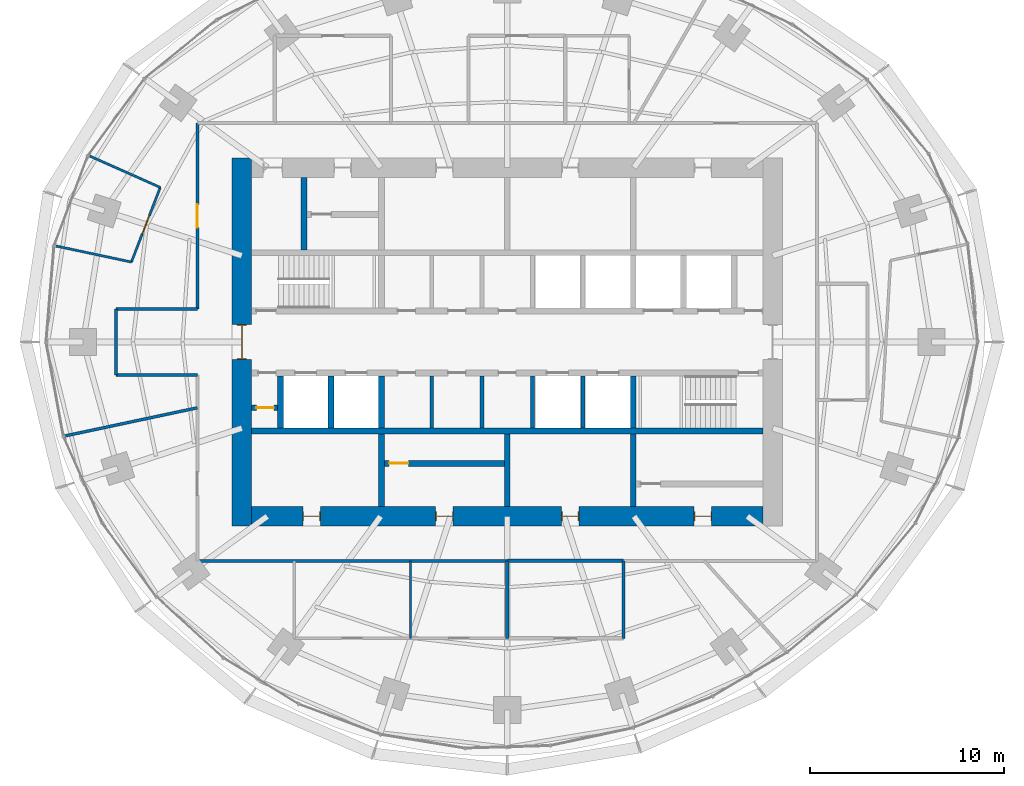
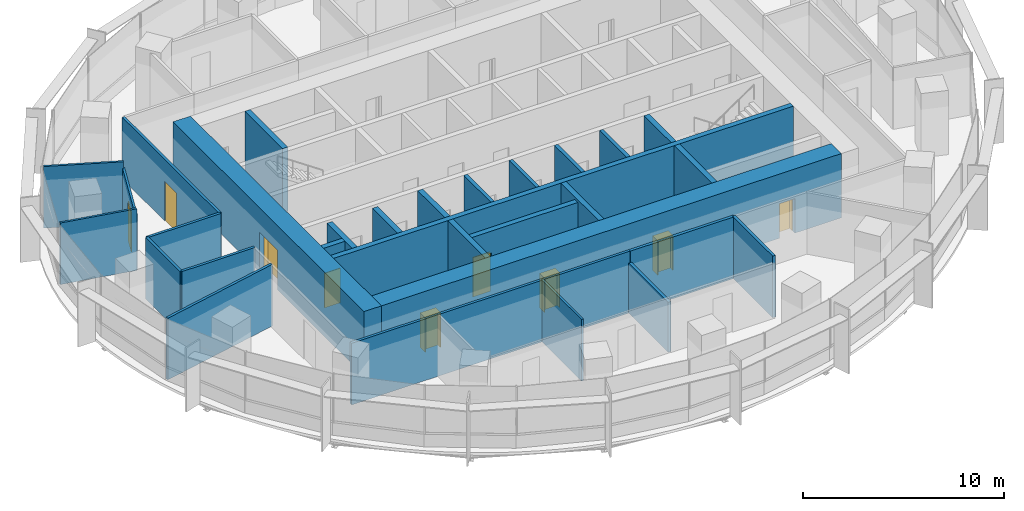
# One storey, part 10 of 14: 30 walls, 9 doors, 9 openings.
"""IFC4 building model written with IfcOpenShell, lengths in metres."""

import ifcopenshell
import ifcopenshell.guid

model = None  # the IFC model being written
_history = None  # IfcOwnerHistory: only IFC2X3 demands one
_inside = {}  # id of a spatial element -> (the spatial element, [elements in it])
_under = {}  # id of a project, library or spatial element -> (it, [spatial elements below it])
_declared = {}  # id of a project -> (the project, [libraries it declares])
_typed = {}  # id of a type object -> (the type object, [elements of that type])
_made_of = {}  # id of a material, layer set ... -> (it, [elements and type objects made of it])


def new_model(schema):
    """Start an empty IFC model of exactly this schema.

    Asked for "IFC4X3", IfcOpenShell would pick the latest addendum, in which some entities
    have other attributes; the version numbers below select the first issue.
    IFC2X3 requires an IfcOwnerHistory on every rooted entity: one is made here for all.
    """
    global model, _history
    if schema == "IFC4X3":
        model = ifcopenshell.file(schema_version=(4, 3, 0, 0))
    else:
        model = ifcopenshell.file(schema=schema)
    _inside.clear()
    _under.clear()
    _declared.clear()
    _typed.clear()
    _made_of.clear()
    _history = None
    if model.schema == "IFC2X3":
        org = make("IfcOrganization", Name="unknown")
        user = make(
            "IfcPersonAndOrganization",
            ThePerson=make("IfcPerson", FamilyName="unknown"),
            TheOrganization=org,
        )
        app = make(
            "IfcApplication",
            ApplicationDeveloper=org,
            Version="unknown",
            ApplicationFullName="unknown",
            ApplicationIdentifier="unknown",
        )
        _history = make(
            "IfcOwnerHistory",
            OwningUser=user,
            OwningApplication=app,
            ChangeAction="ADDED",
            CreationDate=0,
        )
    return model


def make(cls, **values):
    """One entity of the class cls with the attributes given. An attribute that is None is left unset."""
    return model.create_entity(
        cls, **{name: value for name, value in values.items() if value is not None}
    )


def rooted(cls, **values):
    """An entity with a GlobalId (a new one), such as an element, a storey or a relation."""
    return make(cls, GlobalId=ifcopenshell.guid.new(), OwnerHistory=_history, **values)


def si_unit(unit_type, name, prefix=None):
    """IfcSIUnit, for example si_unit("LENGTHUNIT", "METRE", prefix="MILLI")."""
    return make("IfcSIUnit", UnitType=unit_type, Prefix=prefix, Name=name)


def assignment(units):
    """IfcUnitAssignment: the units of a project."""
    return None if units is None else make("IfcUnitAssignment", Units=units)


def point(xyz):
    """IfcCartesianPoint."""
    return None if xyz is None else make("IfcCartesianPoint", Coordinates=xyz)


def direction(xyz):
    """IfcDirection."""
    return None if xyz is None else make("IfcDirection", DirectionRatios=xyz)


def frame(location, z_axis=None, x_axis=None):
    """IfcAxis2Placement3D, a coordinate frame: its origin and axes. An axis left out is left unset."""
    return make(
        "IfcAxis2Placement3D",
        Location=point(location),
        Axis=direction(z_axis),
        RefDirection=direction(x_axis),
    )


def frame_2d(location, x_axis=None):
    """IfcAxis2Placement2D, a coordinate frame in the plane: its origin and x axis."""
    return make(
        "IfcAxis2Placement2D", Location=point(location), RefDirection=direction(x_axis)
    )


def origin():
    """The frame at (0, 0, 0) with its axes left unset."""
    return frame((0.0, 0.0, 0.0))


def place(relative_to, where):
    """IfcLocalPlacement: puts the frame where relative to a parent placement (None: the world)."""
    return make(
        "IfcLocalPlacement", PlacementRelTo=relative_to, RelativePlacement=where
    )


def context(
    kind, dimensions, precision=None, world=None, true_north=None, identifier=None
):
    """IfcGeometricRepresentationContext, for example the 3D "Model" context."""
    return make(
        "IfcGeometricRepresentationContext",
        ContextIdentifier=identifier,
        ContextType=kind,
        CoordinateSpaceDimension=dimensions,
        Precision=precision,
        WorldCoordinateSystem=world,
        TrueNorth=true_north,
    )


def subcontext(parent, identifier, kind, view, scale=None):
    """IfcGeometricRepresentationSubContext, for example "Body" below "Model"."""
    return make(
        "IfcGeometricRepresentationSubContext",
        ContextIdentifier=identifier,
        ContextType=kind,
        ParentContext=parent,
        TargetScale=scale,
        TargetView=view,
    )


def project(units=None, contexts=None):
    """IfcProject with its units and contexts."""
    return rooted(
        "IfcProject",
        Name="project",
        RepresentationContexts=contexts,
        UnitsInContext=assignment(units),
    )


def spatial(cls, under=None, at=None, **own):
    """A site, building, storey or space (cls), placed at a placement, below another one or the project."""
    s = rooted(cls, ObjectPlacement=at, **own)
    if under is not None:
        _under.setdefault(under.id(), (under, []))[1].append(s)
    return s


def profile(cls, at=None, kind="AREA", **sizes):
    """A parametric profile (cls). Its sizes go by their IFC names, for example OverallWidth=200.0."""
    return make(cls, ProfileType=kind, Position=at, **sizes)


def rectangle(**sizes):
    """IfcRectangleProfileDef."""
    return profile("IfcRectangleProfileDef", **sizes)


def extrude(swept, where, along, depth):
    """IfcExtrudedAreaSolid: the profile swept, set in the frame where, extruded along a direction by depth."""
    return make(
        "IfcExtrudedAreaSolid",
        SweptArea=swept,
        Position=where,
        ExtrudedDirection=direction(along),
        Depth=depth,
    )


def shape(context_of_items, identifier, shape_type, items):
    """IfcShapeRepresentation: the items that make up one representation, for example the "Body"."""
    return make(
        "IfcShapeRepresentation",
        ContextOfItems=context_of_items,
        RepresentationIdentifier=identifier,
        RepresentationType=shape_type,
        Items=items,
    )


def material(Name=None, Category=None):
    """IfcMaterial."""
    return make("IfcMaterial", Name=Name, Category=Category)


def layer(
    of_material, thickness, ventilated=None, Name=None, Category=None, Priority=None
):
    """IfcMaterialLayer: one layer of a wall or slab, of a material (None: an air gap)."""
    return make(
        "IfcMaterialLayer",
        Material=of_material,
        LayerThickness=thickness,
        IsVentilated=ventilated,
        Name=Name,
        Category=Category,
        Priority=Priority,
    )


def layer_set(layers, Name=None):
    """IfcMaterialLayerSet."""
    return make("IfcMaterialLayerSet", MaterialLayers=layers, LayerSetName=Name)


def made_of(thing, what):
    """Note that an element or type object is made of a material, layer set ...; save() writes the relation."""
    if what is not None:
        _made_of.setdefault(what.id(), (what, []))[1].append(thing)
    return thing


def type_object(cls, material=None, **own):
    """A type object (cls), such as IfcWallType, which elements share."""
    return made_of(rooted(cls, **own), material)


def element(
    cls,
    number,
    at=None,
    inside=None,
    cuts=None,
    type_object=None,
    material=None,
    context=None,
    identifier="Body",
    shape_type=None,
    held_by="IfcProductDefinitionShape",
    body=None,
    shapes=None,
    **own,
):
    """One element of the class cls, such as IfcWall. Its Tag is "e" and its number.

    at: its placement. inside: the storey or other place that contains it. cuts: it is an
    opening in that element (IfcRelVoidsElement). A single representation is given by context,
    identifier, shape_type and body (its items); several are given by shapes. held_by: the class
    of the entity that holds the representations. save() writes the other relations.
    """
    e = rooted(cls, Tag="e%d" % number, ObjectPlacement=at, **own)
    if body is not None:
        shapes = [shape(context, identifier, shape_type, body)]
    if shapes is not None:
        e.Representation = make(held_by, Representations=shapes)
    if inside is not None:
        _inside.setdefault(inside.id(), (inside, []))[1].append(e)
    if cuts is not None:
        rooted(
            "IfcRelVoidsElement", RelatingBuildingElement=cuts, RelatedOpeningElement=e
        )
    if type_object is not None:
        _typed.setdefault(type_object.id(), (type_object, []))[1].append(e)
    return made_of(e, material)


def fill(opening, filler):
    """IfcRelFillsElement: the door or window that sits in an opening."""
    return rooted(
        "IfcRelFillsElement",
        RelatingOpeningElement=opening,
        RelatedBuildingElement=filler,
    )


def aggregate(whole, parts):
    """IfcRelAggregates: a whole, such as a stair, and the parts it consists of."""
    return rooted("IfcRelAggregates", RelatingObject=whole, RelatedObjects=parts)


def save(model, path):
    """Write the relations noted so far, then the file.

    IfcRelAggregates (storeys below a building ...), IfcRelContainedInSpatialStructure (elements
    in a storey), IfcRelDefinesByType, IfcRelAssociatesMaterial and IfcRelDeclares: one each for
    every whole, place, type object, material and project.
    """
    for whole, parts in _under.values():
        aggregate(whole, parts)
    for where, things in _inside.values():
        rooted(
            "IfcRelContainedInSpatialStructure",
            RelatedElements=things,
            RelatingStructure=where,
        )
    for kind, things in _typed.values():
        rooted("IfcRelDefinesByType", RelatedObjects=things, RelatingType=kind)
    for what, things in _made_of.values():
        rooted("IfcRelAssociatesMaterial", RelatedObjects=things, RelatingMaterial=what)
    for by, libraries in _declared.values():
        rooted("IfcRelDeclares", RelatingContext=by, RelatedDefinitions=libraries)
    model.write(path)


model = new_model("IFC4")

# Units and contexts
model_context = context("Model", 3, precision=1e-05, world=origin(), true_north=direction((0.0, 1.0)))
body_context = subcontext(model_context, "Body", "Model", "MODEL_VIEW")
ifc_project = project(units=[si_unit("LENGTHUNIT", "METRE"), si_unit("AREAUNIT", "SQUARE_METRE"), si_unit("VOLUMEUNIT", "CUBIC_METRE"), si_unit("PLANEANGLEUNIT", "RADIAN"), si_unit("MASSUNIT", "GRAM", prefix="KILO")], contexts=[model_context])

# Site, building, storey
site_placement = place(None, origin())
site = spatial("IfcSite", under=ifc_project, at=site_placement, CompositionType="ELEMENT")
building_placement = place(site_placement, origin())
building = spatial("IfcBuilding", under=site, at=building_placement, Name="Marramba Exchange Tower", CompositionType="ELEMENT")
storey_placement = place(building_placement, frame((0.0, 0.0, 203.300048828125)))
storey = spatial("IfcBuildingStorey", under=building, at=storey_placement, Name="L49", CompositionType="ELEMENT", Elevation=203.300048828125)

# Walls
ifc_material_1 = material(Name="Plasterboard on staggered double steel studs, acoustic insulation", Category="steel")
ifc_layer_1 = layer(ifc_material_1, 0.169921875)
ifc_layer_set_1 = layer_set([ifc_layer_1], Name="Acoustic partition 170")
wall_type_1 = type_object("IfcWallType", Name="Acoustic partition 170", PredefinedType="PARTITIONING", material=ifc_layer_set_1)
wall_1_placement = place(storey_placement, frame((0.0, -15.300048828125, 0.0), z_axis=(0.0, 0.0, 1.0), x_axis=(0.0, 1.0, 0.0)))
element("IfcWall", 1, at=wall_1_placement, inside=storey, type_object=wall_type_1, Name="Acoustic partition L49 08", PredefinedType="PARTITIONING", context=body_context, shape_type="SweptSolid", body=[
    extrude(rectangle(XDim=4.0, YDim=0.169921875, at=frame_2d((2.0, 0.0))), origin(), (0.0, 0.0, 1.0), 3.0400390625),
])
wall_2_placement = place(storey_placement, frame((6.0, -11.300048828125, 0.0), z_axis=(0.0, 0.0, 1.0), x_axis=(-1.0, 0.0, 0.0)))
element("IfcWall", 2, at=wall_2_placement, inside=storey, type_object=wall_type_1, Name="Acoustic partition L49 10", PredefinedType="PARTITIONING", context=body_context, shape_type="SweptSolid", body=[
    extrude(rectangle(XDim=6.0, YDim=0.169921875, at=frame_2d((3.0, 0.0))), origin(), (0.0, 0.0, 1.0), 3.739990234375),
])
wall_3_placement = place(storey_placement, frame((6.0, -15.300048828125, 0.0), z_axis=(0.0, 0.0, 1.0), x_axis=(0.0, 1.0, 0.0)))
element("IfcWall", 3, at=wall_3_placement, inside=storey, type_object=wall_type_1, Name="Acoustic partition L49 11", PredefinedType="PARTITIONING", context=body_context, shape_type="SweptSolid", body=[
    extrude(rectangle(XDim=4.0, YDim=0.169921875, at=frame_2d((2.0, 0.0))), origin(), (0.0, 0.0, 1.0), 3.739990234375),
])
ifc_material_2 = material(Name="Concrete N50", Category="concrete")
ifc_layer_2 = layer(ifc_material_2, 0.199951171875)
ifc_layer_set_2 = layer_set([ifc_layer_2], Name="Core shaft wall 200")
wall_type_2 = type_object("IfcWallType", Name="Core shaft wall 200", PredefinedType="SHEAR", material=ifc_layer_set_2)
for number, where, z_axis, x_axis, name in (
    (4, (-3.89990234375, -1.75, 0.0), (0.0, 0.0, 1.0), (0.0, -1.0, 0.0), "Core wall SHS1 L49"),
    (5, (-1.300048828125, -1.75, 0.0), (0.0, 0.0, 1.0), (0.0, -1.0, 0.0), "Core wall SHS2 L49"),
    (6, (1.300048828125, -1.75, 0.0), (0.0, 0.0, 1.0), (0.0, -1.0, 0.0), "Core wall SHS3 L49"),
    (7, (3.89990234375, -1.75, 0.0), (0.0, 0.0, 1.0), (0.0, -1.0, 0.0), "Core wall SHS4 L49"),
):
    element("IfcWall", number, at=place(storey_placement, frame(where, z_axis=z_axis, x_axis=x_axis)), inside=storey, type_object=wall_type_2, Name=name, PredefinedType="SHEAR", context=body_context, shape_type="SweptSolid", body=[
        extrude(rectangle(XDim=2.699951171875, YDim=0.199951171875, at=frame_2d((1.35009765625, 0.0))), origin(), (0.0, 0.0, 1.0), 3.89990234375),
    ])

# Wall, openings, doors
ifc_layer_3 = layer(ifc_material_2, 1.0)
ifc_layer_set_3 = layer_set([ifc_layer_3], Name="Core wall 1000")
wall_type_3 = type_object("IfcWallType", Name="Core wall 1000", PredefinedType="SHEAR", material=ifc_layer_set_3)
wall_4_placement = place(storey_placement, frame((-13.199951171875, -9.0, 0.0), z_axis=(0.0, 0.0, 1.0), x_axis=(1.0, 0.0, 0.0)))
wall_4 = element("IfcWall", 8, at=wall_4_placement, inside=storey, type_object=wall_type_3, Name="Core wall S L49", PredefinedType="SHEAR", context=body_context, shape_type="SweptSolid", body=[
    extrude(rectangle(XDim=26.39990234375, YDim=1.0, at=frame_2d((13.199951171875, 0.0))), origin(), (0.0, 0.0, 1.0), 3.89990234375),
])
opening_1_placement = place(wall_4_placement, frame((2.64990234375, 0.0, 0.0)))
opening_1 = element("IfcOpeningElement", 9, at=opening_1_placement, cuts=wall_4, Name="Opening D5", PredefinedType="OPENING", context=body_context, shape_type="SweptSolid", body=[
    extrude(rectangle(XDim=0.89990234375, YDim=2.10009765625, at=frame_2d((0.449951171875, 1.050048828125))), frame((0.0, 0.510009765625, 0.0), z_axis=(0.0, -1.0, 0.0), x_axis=(1.0, 0.0, 0.0)), (0.0, 0.0, 1.0), 1.02001953125),
])
opening_2_placement = place(wall_4_placement, frame((9.5, 0.0, 0.0)))
opening_2 = element("IfcOpeningElement", 10, at=opening_2_placement, cuts=wall_4, Name="Opening D5", PredefinedType="OPENING", context=body_context, shape_type="SweptSolid", body=[
    extrude(rectangle(XDim=0.89990234375, YDim=2.10009765625, at=frame_2d((0.449951171875, 1.050048828125))), frame((0.0, 0.510009765625, 0.0), z_axis=(0.0, -1.0, 0.0), x_axis=(1.0, 0.0, 0.0)), (0.0, 0.0, 1.0), 1.02001953125),
])
opening_3_placement = place(wall_4_placement, frame((16.0, 0.0, 0.0)))
opening_3 = element("IfcOpeningElement", 11, at=opening_3_placement, cuts=wall_4, Name="Opening D5", PredefinedType="OPENING", context=body_context, shape_type="SweptSolid", body=[
    extrude(rectangle(XDim=0.89990234375, YDim=2.10009765625, at=frame_2d((0.449951171875, 1.050048828125))), frame((0.0, 0.510009765625, 0.0), z_axis=(0.0, -1.0, 0.0), x_axis=(1.0, 0.0, 0.0)), (0.0, 0.0, 1.0), 1.02001953125),
])
opening_4_placement = place(wall_4_placement, frame((22.85009765625, 0.0, 0.0)))
opening_4 = element("IfcOpeningElement", 12, at=opening_4_placement, cuts=wall_4, Name="Opening D5", PredefinedType="OPENING", context=body_context, shape_type="SweptSolid", body=[
    extrude(rectangle(XDim=0.89990234375, YDim=2.10009765625, at=frame_2d((0.449951171875, 1.050048828125))), frame((0.0, 0.510009765625, 0.0), z_axis=(0.0, -1.0, 0.0), x_axis=(1.0, 0.0, 0.0)), (0.0, 0.0, 1.0), 1.02001953125),
])
ifc_material_3 = material(Name="Steel-framed door", Category="steel")
door_type_1 = type_object("IfcDoorType", Name="Service door 900x2100", OperationType="SINGLE_SWING_LEFT", PredefinedType="DOOR", material=ifc_material_3)
door_1_placement = place(opening_1_placement, origin())
door_1 = element("IfcDoor", 13, at=door_1_placement, inside=storey, type_object=door_type_1, Name="D5 ahu L49", OperationType="SINGLE_SWING_LEFT", OverallHeight=2.10009765625, OverallWidth=0.89990234375, PredefinedType="DOOR", context=body_context, shape_type="SweptSolid", body=[
    extrude(rectangle(XDim=0.81982421875, YDim=2.06005859375, at=frame_2d((0.449951171875, 1.030029296875))), frame((0.0, 0.02490234375, 0.0), z_axis=(0.0, -1.0, 0.0), x_axis=(1.0, 0.0, 0.0)), (0.0, 0.0, 1.0), 0.050048828125),
    extrude(rectangle(XDim=0.04, YDim=2.10009765625, at=frame_2d((0.02001953125, 1.050048828125))), frame((0.0, 0.25, 0.0), z_axis=(0.0, -1.0, 0.0), x_axis=(1.0, 0.0, 0.0)), (0.0, 0.0, 1.0), 0.5),
    extrude(rectangle(XDim=0.04, YDim=2.10009765625, at=frame_2d((0.8798828125, 1.050048828125))), frame((0.0, 0.25, 0.0), z_axis=(0.0, -1.0, 0.0), x_axis=(1.0, 0.0, 0.0)), (0.0, 0.0, 1.0), 0.5),
    extrude(rectangle(XDim=0.81982421875, YDim=0.04, at=frame_2d((0.449951171875, 2.080078125))), frame((0.0, 0.25, 0.0), z_axis=(0.0, -1.0, 0.0), x_axis=(1.0, 0.0, 0.0)), (0.0, 0.0, 1.0), 0.5),
])
fill(opening_1, door_1)
door_2_placement = place(opening_2_placement, origin())
door_2 = element("IfcDoor", 14, at=door_2_placement, inside=storey, type_object=door_type_1, Name="D5 store L49", OperationType="SINGLE_SWING_RIGHT", OverallHeight=2.10009765625, OverallWidth=0.89990234375, PredefinedType="DOOR", context=body_context, shape_type="SweptSolid", body=[
    extrude(rectangle(XDim=0.81982421875, YDim=2.06005859375, at=frame_2d((0.449951171875, 1.030029296875))), frame((0.0, 0.02490234375, 0.0), z_axis=(0.0, -1.0, 0.0), x_axis=(1.0, 0.0, 0.0)), (0.0, 0.0, 1.0), 0.050048828125),
    extrude(rectangle(XDim=0.04, YDim=2.10009765625, at=frame_2d((0.02001953125, 1.050048828125))), frame((0.0, 0.25, 0.0), z_axis=(0.0, -1.0, 0.0), x_axis=(1.0, 0.0, 0.0)), (0.0, 0.0, 1.0), 0.5),
    extrude(rectangle(XDim=0.04, YDim=2.10009765625, at=frame_2d((0.8798828125, 1.050048828125))), frame((0.0, 0.25, 0.0), z_axis=(0.0, -1.0, 0.0), x_axis=(1.0, 0.0, 0.0)), (0.0, 0.0, 1.0), 0.5),
    extrude(rectangle(XDim=0.81982421875, YDim=0.04, at=frame_2d((0.449951171875, 2.080078125))), frame((0.0, 0.25, 0.0), z_axis=(0.0, -1.0, 0.0), x_axis=(1.0, 0.0, 0.0)), (0.0, 0.0, 1.0), 0.5),
])
fill(opening_2, door_2)
door_3_placement = place(opening_3_placement, origin())
door_3 = element("IfcDoor", 15, at=door_3_placement, inside=storey, type_object=door_type_1, Name="D5 switch L49", OperationType="SINGLE_SWING_RIGHT", OverallHeight=2.10009765625, OverallWidth=0.89990234375, PredefinedType="DOOR", context=body_context, shape_type="SweptSolid", body=[
    extrude(rectangle(XDim=0.81982421875, YDim=2.06005859375, at=frame_2d((0.449951171875, 1.030029296875))), frame((0.0, 0.02490234375, 0.0), z_axis=(0.0, -1.0, 0.0), x_axis=(1.0, 0.0, 0.0)), (0.0, 0.0, 1.0), 0.050048828125),
    extrude(rectangle(XDim=0.04, YDim=2.10009765625, at=frame_2d((0.02001953125, 1.050048828125))), frame((0.0, 0.25, 0.0), z_axis=(0.0, -1.0, 0.0), x_axis=(1.0, 0.0, 0.0)), (0.0, 0.0, 1.0), 0.5),
    extrude(rectangle(XDim=0.04, YDim=2.10009765625, at=frame_2d((0.8798828125, 1.050048828125))), frame((0.0, 0.25, 0.0), z_axis=(0.0, -1.0, 0.0), x_axis=(1.0, 0.0, 0.0)), (0.0, 0.0, 1.0), 0.5),
    extrude(rectangle(XDim=0.81982421875, YDim=0.04, at=frame_2d((0.449951171875, 2.080078125))), frame((0.0, 0.25, 0.0), z_axis=(0.0, -1.0, 0.0), x_axis=(1.0, 0.0, 0.0)), (0.0, 0.0, 1.0), 0.5),
])
fill(opening_3, door_3)
door_4_placement = place(opening_4_placement, origin())
door_4 = element("IfcDoor", 16, at=door_4_placement, inside=storey, type_object=door_type_1, Name="D5 cstore L49", OperationType="SINGLE_SWING_RIGHT", OverallHeight=2.10009765625, OverallWidth=0.89990234375, PredefinedType="DOOR", context=body_context, shape_type="SweptSolid", body=[
    extrude(rectangle(XDim=0.81982421875, YDim=2.06005859375, at=frame_2d((0.449951171875, 1.030029296875))), frame((0.0, 0.02490234375, 0.0), z_axis=(0.0, -1.0, 0.0), x_axis=(1.0, 0.0, 0.0)), (0.0, 0.0, 1.0), 0.050048828125),
    extrude(rectangle(XDim=0.04, YDim=2.10009765625, at=frame_2d((0.02001953125, 1.050048828125))), frame((0.0, 0.25, 0.0), z_axis=(0.0, -1.0, 0.0), x_axis=(1.0, 0.0, 0.0)), (0.0, 0.0, 1.0), 0.5),
    extrude(rectangle(XDim=0.04, YDim=2.10009765625, at=frame_2d((0.8798828125, 1.050048828125))), frame((0.0, 0.25, 0.0), z_axis=(0.0, -1.0, 0.0), x_axis=(1.0, 0.0, 0.0)), (0.0, 0.0, 1.0), 0.5),
    extrude(rectangle(XDim=0.81982421875, YDim=0.04, at=frame_2d((0.449951171875, 2.080078125))), frame((0.0, 0.25, 0.0), z_axis=(0.0, -1.0, 0.0), x_axis=(1.0, 0.0, 0.0)), (0.0, 0.0, 1.0), 0.5),
])
fill(opening_4, door_4)

# Wall, opening, door
wall_5_placement = place(storey_placement, frame((-13.699951171875, 9.5, 0.0), z_axis=(0.0, 0.0, 1.0), x_axis=(0.0, -1.0, 0.0)))
wall_5 = element("IfcWall", 17, at=wall_5_placement, inside=storey, type_object=wall_type_3, Name="Core wall W L49", PredefinedType="SHEAR", context=body_context, shape_type="SweptSolid", body=[
    extrude(rectangle(XDim=19.0, YDim=1.0, at=frame_2d((9.5, 0.0))), origin(), (0.0, 0.0, 1.0), 3.89990234375),
])
opening_5_placement = place(wall_5_placement, frame((8.60009765625, 0.0, 0.0)))
opening_5 = element("IfcOpeningElement", 18, at=opening_5_placement, cuts=wall_5, Name="Opening D1", PredefinedType="OPENING", context=body_context, shape_type="SweptSolid", body=[
    extrude(rectangle(XDim=1.800048828125, YDim=2.39990234375, at=frame_2d((0.89990234375, 1.199951171875))), frame((0.0, 0.510009765625, 0.0), z_axis=(0.0, -1.0, 0.0), x_axis=(1.0, 0.0, 0.0)), (0.0, 0.0, 1.0), 1.02001953125),
])
door_type_2 = type_object("IfcDoorType", Name="Lobby exit door 1800x2400", OperationType="DOUBLE_DOOR_SINGLE_SWING", PredefinedType="DOOR", material=ifc_material_3)
door_5_placement = place(opening_5_placement, origin())
door_5 = element("IfcDoor", 19, at=door_5_placement, inside=storey, type_object=door_type_2, Name="D1 lobby exit west L49", OperationType="DOUBLE_DOOR_SINGLE_SWING", OverallHeight=2.39990234375, OverallWidth=1.800048828125, PredefinedType="DOOR", context=body_context, shape_type="SweptSolid", body=[
    extrude(rectangle(XDim=1.719970703125, YDim=2.35986328125, at=frame_2d((0.89990234375, 1.179931640625))), frame((0.0, 0.02490234375, 0.0), z_axis=(0.0, -1.0, 0.0), x_axis=(1.0, 0.0, 0.0)), (0.0, 0.0, 1.0), 0.050048828125),
    extrude(rectangle(XDim=0.04, YDim=2.39990234375, at=frame_2d((0.02001953125, 1.199951171875))), frame((0.0, 0.25, 0.0), z_axis=(0.0, -1.0, 0.0), x_axis=(1.0, 0.0, 0.0)), (0.0, 0.0, 1.0), 0.5),
    extrude(rectangle(XDim=0.04, YDim=2.39990234375, at=frame_2d((1.780029296875, 1.199951171875))), frame((0.0, 0.25, 0.0), z_axis=(0.0, -1.0, 0.0), x_axis=(1.0, 0.0, 0.0)), (0.0, 0.0, 1.0), 0.5),
    extrude(rectangle(XDim=1.719970703125, YDim=0.04, at=frame_2d((0.89990234375, 2.3798828125))), frame((0.0, 0.25, 0.0), z_axis=(0.0, -1.0, 0.0), x_axis=(1.0, 0.0, 0.0)), (0.0, 0.0, 1.0), 0.5),
])
fill(opening_5, door_5)

# Walls
ifc_layer_4 = layer(ifc_material_2, 0.300048828125)
ifc_layer_set_4 = layer_set([ifc_layer_4], Name="Core wall 300")
wall_type_4 = type_object("IfcWallType", Name="Core wall 300", PredefinedType="SHEAR", material=ifc_layer_set_4)
wall_6_placement = place(storey_placement, frame((-13.199951171875, -4.60009765625, 0.0), z_axis=(0.0, 0.0, 1.0), x_axis=(1.0, 0.0, 0.0)))
element("IfcWall", 20, at=wall_6_placement, inside=storey, type_object=wall_type_4, Name="Core wall BS L49", PredefinedType="SHEAR", context=body_context, shape_type="SweptSolid", body=[
    extrude(rectangle(XDim=26.39990234375, YDim=0.300048828125, at=frame_2d((13.199951171875, 0.0))), origin(), (0.0, 0.0, 1.0), 3.89990234375),
])
wall_7_placement = place(storey_placement, frame((-6.5, -1.75, 0.0), z_axis=(0.0, 0.0, 1.0), x_axis=(0.0, -1.0, 0.0)))
element("IfcWall", 21, at=wall_7_placement, inside=storey, type_object=wall_type_4, Name="Core wall X0Sa L49", PredefinedType="SHEAR", context=body_context, shape_type="SweptSolid", body=[
    extrude(rectangle(XDim=2.699951171875, YDim=0.300048828125, at=frame_2d((1.35009765625, 0.0))), origin(), (0.0, 0.0, 1.0), 3.89990234375),
])
wall_8_placement = place(storey_placement, frame((-6.5, -4.75, 0.0), z_axis=(0.0, 0.0, 1.0), x_axis=(0.0, -1.0, 0.0)))
element("IfcWall", 22, at=wall_8_placement, inside=storey, type_object=wall_type_4, Name="Core wall X0Sb L49", PredefinedType="SHEAR", context=body_context, shape_type="SweptSolid", body=[
    extrude(rectangle(XDim=3.75, YDim=0.300048828125, at=frame_2d((1.875, 0.0))), origin(), (0.0, 0.0, 1.0), 3.89990234375),
])
wall_9_placement = place(storey_placement, frame((6.5, -1.75, 0.0), z_axis=(0.0, 0.0, 1.0), x_axis=(0.0, -1.0, 0.0)))
element("IfcWall", 23, at=wall_9_placement, inside=storey, type_object=wall_type_4, Name="Core wall X1Sa L49", PredefinedType="SHEAR", context=body_context, shape_type="SweptSolid", body=[
    extrude(rectangle(XDim=2.699951171875, YDim=0.300048828125, at=frame_2d((1.35009765625, 0.0))), origin(), (0.0, 0.0, 1.0), 3.89990234375),
])
for number, where, z_axis, x_axis, name in (
    (24, (6.5, -4.75, 0.0), (0.0, 0.0, 1.0), (0.0, -1.0, 0.0), "Core wall X1Sb L49"),
    (25, (0.0, -4.75, 0.0), (0.0, 0.0, 1.0), (0.0, -1.0, 0.0), "Core wall MS L49"),
    (26, (-10.5, 4.75, 0.0), (0.0, 0.0, 1.0), (0.0, 1.0, 0.0), "Core wall WD L49"),
):
    element("IfcWall", number, at=place(storey_placement, frame(where, z_axis=z_axis, x_axis=x_axis)), inside=storey, type_object=wall_type_4, Name=name, PredefinedType="SHEAR", context=body_context, shape_type="SweptSolid", body=[
        extrude(rectangle(XDim=3.75, YDim=0.300048828125, at=frame_2d((1.875, 0.0))), origin(), (0.0, 0.0, 1.0), 3.89990234375),
    ])
ifc_material_4 = material(Name="Core-filled concrete blockwork", Category="masonry")
ifc_layer_5 = layer(ifc_material_4, 0.300048828125)
ifc_layer_set_5 = layer_set([ifc_layer_5], Name="Lift shaft wall 300")
wall_type_5 = type_object("IfcWallType", Name="Lift shaft wall 300", PredefinedType="SOLIDWALL", material=ifc_layer_set_5)
for number, where, z_axis, x_axis, name in (
    (27, (-9.10009765625, -1.75, 0.0), (0.0, 0.0, 1.0), (0.0, -1.0, 0.0), "Lift shaft wall W1 L49"),
    (28, (-11.699951171875, -1.75, 0.0), (0.0, 0.0, 1.0), (0.0, -1.0, 0.0), "Lift shaft wall W2 L49"),
):
    element("IfcWall", number, at=place(storey_placement, frame(where, z_axis=z_axis, x_axis=x_axis)), inside=storey, type_object=wall_type_5, Name=name, PredefinedType="SOLIDWALL", context=body_context, shape_type="SweptSolid", body=[
        extrude(rectangle(XDim=2.699951171875, YDim=0.300048828125, at=frame_2d((1.35009765625, 0.0))), origin(), (0.0, 0.0, 1.0), 3.739990234375),
    ])
ifc_material_5 = material(Name="Plasterboard on steel studs", Category="steel")
ifc_layer_6 = layer(ifc_material_5, 0.1201171875)
ifc_layer_set_6 = layer_set([ifc_layer_6], Name="Partition 120")
wall_type_6 = type_object("IfcWallType", Name="Partition 120", PredefinedType="PARTITIONING", material=ifc_layer_set_6)
for number, where, z_axis, x_axis, name in (
    (29, (-5.0, -11.300048828125, 0.0), (0.0, 0.0, 1.0), (0.0, -1.0, 0.0), "Partition L49 06"),
    (30, (-17.914794921875, 7.976318359375, 0.0), (0.0, 0.0, 1.0), (-0.913549606868, 0.406727323635, 0.0), "Partition L49 37"),
):
    element("IfcWall", number, at=place(storey_placement, frame(where, z_axis=z_axis, x_axis=x_axis)), inside=storey, type_object=wall_type_6, Name=name, PredefinedType="PARTITIONING", context=body_context, shape_type="SweptSolid", body=[
        extrude(rectangle(XDim=4.0, YDim=0.1201171875, at=frame_2d((2.0, 0.0))), origin(), (0.0, 0.0, 1.0), 3.739990234375),
    ])

# Wall, opening, door
wall_10_placement = place(storey_placement, frame((-19.404541015625, 4.12451171875, 0.0), z_axis=(0.0, 0.0, 1.0), x_axis=(0.360725417702, 0.932672060814, 0.0)))
wall_10 = element("IfcWall", 31, at=wall_10_placement, inside=storey, type_object=wall_type_6, Name="Partition L49 39", PredefinedType="PARTITIONING", context=body_context, shape_type="SweptSolid", body=[
    extrude(rectangle(XDim=4.1298828125, YDim=0.1201171875, at=frame_2d((2.06494140625, 0.0))), origin(), (0.0, 0.0, 1.0), 3.333984375),
])
opening_6_placement = place(wall_10_placement, frame((1.56494140625, 0.0, 0.0)))
opening_6 = element("IfcOpeningElement", 32, at=opening_6_placement, cuts=wall_10, Name="Opening D9", PredefinedType="OPENING", context=body_context, shape_type="SweptSolid", body=[
    extrude(rectangle(XDim=1.0, YDim=2.39990234375, at=frame_2d((0.5, 1.199951171875))), frame((0.0, 0.070068359375, 0.0), z_axis=(0.0, -1.0, 0.0), x_axis=(1.0, 0.0, 0.0)), (0.0, 0.0, 1.0), 0.14013671875),
])
ifc_material_6 = material(Name="Timber door", Category="wood")
door_type_3 = type_object("IfcDoorType", Name="Room door 1000x2400", OperationType="SINGLE_SWING_LEFT", PredefinedType="DOOR", material=ifc_material_6)
door_6_placement = place(opening_6_placement, origin())
door_6 = element("IfcDoor", 33, at=door_6_placement, inside=storey, type_object=door_type_3, Name="D9 Focus Room L49", OperationType="SINGLE_SWING_RIGHT", OverallHeight=2.39990234375, OverallWidth=1.0, PredefinedType="DOOR", context=body_context, shape_type="SweptSolid", body=[
    extrude(rectangle(XDim=1.0, YDim=2.39990234375, at=frame_2d((0.5, 1.199951171875))), frame((0.0, 0.02490234375, 0.0), z_axis=(0.0, -1.0, 0.0), x_axis=(1.0, 0.0, 0.0)), (0.0, 0.0, 1.0), 0.050048828125),
])
fill(opening_6, door_6)

# Wall
wall_11_placement = place(storey_placement, frame((-23.317138671875, 4.956298828125, 0.0), z_axis=(0.0, 0.0, 1.0), x_axis=(0.978140543132, -0.207944891454, 0.0)))
element("IfcWall", 34, at=wall_11_placement, inside=storey, type_object=wall_type_6, Name="Partition L49 40", PredefinedType="PARTITIONING", context=body_context, shape_type="SweptSolid", body=[
    extrude(rectangle(XDim=4.0, YDim=0.1201171875, at=frame_2d((2.0, 0.0))), origin(), (0.0, 0.0, 1.0), 3.739990234375),
])

# Wall, opening, door
ifc_layer_7 = layer(ifc_material_4, 0.300048828125)
ifc_layer_set_7 = layer_set([ifc_layer_7], Name="Riser enclosure wall 300")
wall_type_7 = type_object("IfcWallType", Name="Riser enclosure wall 300", PredefinedType="SOLIDWALL", material=ifc_layer_set_7)
wall_12_placement = place(storey_placement, frame((-13.199951171875, -3.39990234375, 0.0), z_axis=(0.0, 0.0, 1.0), x_axis=(1.0, 0.0, 0.0)))
wall_12 = element("IfcWall", 35, at=wall_12_placement, inside=storey, type_object=wall_type_7, Name="Riser enclosure wall L49", PredefinedType="SOLIDWALL", context=body_context, shape_type="SweptSolid", body=[
    extrude(rectangle(XDim=1.349853515625, YDim=0.300048828125, at=frame_2d((0.6748046875, 0.0))), origin(), (0.0, 0.0, 1.0), 3.739990234375),
])
opening_7_placement = place(wall_12_placement, frame((0.25, 0.0, 0.0)))
opening_7 = element("IfcOpeningElement", 36, at=opening_7_placement, cuts=wall_12, Name="Opening D5", PredefinedType="OPENING", context=body_context, shape_type="SweptSolid", body=[
    extrude(rectangle(XDim=0.89990234375, YDim=2.10009765625, at=frame_2d((0.449951171875, 1.050048828125))), frame((0.0, 0.159912109375, 0.0), z_axis=(0.0, -1.0, 0.0), x_axis=(1.0, 0.0, 0.0)), (0.0, 0.0, 1.0), 0.320068359375),
])
door_7_placement = place(opening_7_placement, frame((0.89990234375, 0.0, 0.0), z_axis=(0.0, 0.0, 1.0), x_axis=(-1.0, 0.0, 0.0)))
door_7 = element("IfcDoor", 37, at=door_7_placement, inside=storey, type_object=door_type_1, Name="D5 electrical riser back L49", OperationType="SINGLE_SWING_LEFT", OverallHeight=2.10009765625, OverallWidth=0.89990234375, PredefinedType="DOOR", context=body_context, shape_type="SweptSolid", body=[
    extrude(rectangle(XDim=0.89990234375, YDim=2.10009765625, at=frame_2d((0.449951171875, 1.050048828125))), frame((0.0, 0.025146484375, 0.0), z_axis=(0.0, -1.0, 0.0), x_axis=(1.0, 0.0, 0.0)), (0.0, 0.0, 1.0), 0.050048828125),
])
fill(opening_7, door_7)

ifc_material_7 = material(Name="Plasterboard on steel studs, insulated, unrated", Category="steel")
ifc_layer_8 = layer(ifc_material_7, 0.300048828125)
ifc_layer_set_8 = layer_set([ifc_layer_8], Name="Store partition 300")
wall_type_8 = type_object("IfcWallType", Name="Store partition 300", PredefinedType="PARTITIONING", material=ifc_layer_set_8)
wall_13_placement = place(storey_placement, frame((-6.35009765625, -6.27197265625, 0.0), z_axis=(0.0, 0.0, 1.0), x_axis=(1.0, 0.0, 0.0)))
wall_13 = element("IfcWall", 38, at=wall_13_placement, inside=storey, type_object=wall_type_8, Name="Store partition L49 store", PredefinedType="PARTITIONING", context=body_context, shape_type="SweptSolid", body=[
    extrude(rectangle(XDim=6.2001953125, YDim=0.300048828125, at=frame_2d((3.10009765625, 0.0))), origin(), (0.0, 0.0, 1.0), 3.739990234375),
])
opening_8_placement = place(wall_13_placement, frame((0.25, 0.0, 0.0)))
opening_8 = element("IfcOpeningElement", 39, at=opening_8_placement, cuts=wall_13, Name="Opening D9", PredefinedType="OPENING", context=body_context, shape_type="SweptSolid", body=[
    extrude(rectangle(XDim=1.0, YDim=2.39990234375, at=frame_2d((0.5, 1.199951171875))), frame((0.0, 0.159912109375, 0.0), z_axis=(0.0, -1.0, 0.0), x_axis=(1.0, 0.0, 0.0)), (0.0, 0.0, 1.0), 0.320068359375),
])
door_8_placement = place(opening_8_placement, origin())
door_8 = element("IfcDoor", 40, at=door_8_placement, inside=storey, type_object=door_type_3, Name="D9 stationery store L49", OperationType="SINGLE_SWING_LEFT", OverallHeight=2.39990234375, OverallWidth=1.0, PredefinedType="DOOR", context=body_context, shape_type="SweptSolid", body=[
    extrude(rectangle(XDim=1.0, YDim=2.39990234375, at=frame_2d((0.5, 1.199951171875))), frame((0.0, 0.02490234375, 0.0), z_axis=(0.0, -1.0, 0.0), x_axis=(1.0, 0.0, 0.0)), (0.0, 0.0, 1.0), 0.050048828125),
])
fill(opening_8, door_8)

# Walls
ifc_material_8 = material(Name="Fire-rated plasterboard on steel studs, acoustic insulation", Category="steel")
ifc_layer_9 = layer(ifc_material_8, 0.14990234375)
ifc_layer_set_9 = layer_set([ifc_layer_9], Name="Tenancy wall 150")
wall_type_9 = type_object("IfcWallType", Name="Tenancy wall 150", PredefinedType="PARTITIONING", material=ifc_layer_set_9)
wall_14_placement = place(storey_placement, frame((-20.199951171875, -1.699951171875, 0.0), z_axis=(0.0, 0.0, 1.0), x_axis=(1.0, 0.0, 0.0)))
element("IfcWall", 41, at=wall_14_placement, inside=storey, type_object=wall_type_9, Name="Tenancy wall L49 01", PredefinedType="PARTITIONING", context=body_context, shape_type="SweptSolid", body=[
    extrude(rectangle(XDim=4.199951171875, YDim=0.14990234375, at=frame_2d((2.10009765625, 0.0))), origin(), (0.0, 0.0, 1.0), 3.739990234375),
])
wall_15_placement = place(storey_placement, frame((-16.0, -3.40087890625, 0.0), z_axis=(0.0, 0.0, 1.0), x_axis=(-0.978145707098, -0.207920599476, 0.0)))
element("IfcWall", 42, at=wall_15_placement, inside=storey, type_object=wall_type_9, Name="Tenancy wall L49 02", PredefinedType="PARTITIONING", context=body_context, shape_type="SweptSolid", body=[
    extrude(rectangle(XDim=6.98779296875, YDim=0.14990234375, at=frame_2d((3.493896484375, 0.0))), origin(), (0.0, 0.0, 1.0), 3.739990234375),
])
wall_16_placement = place(storey_placement, frame((-16.0, -11.300048828125, 0.0), z_axis=(0.0, 0.0, 1.0), x_axis=(1.0, 0.0, 0.0)))
element("IfcWall", 43, at=wall_16_placement, inside=storey, type_object=wall_type_9, Name="Tenancy wall L49 05", PredefinedType="PARTITIONING", context=body_context, shape_type="SweptSolid", body=[
    extrude(rectangle(XDim=16.0, YDim=0.14990234375, at=frame_2d((8.0, 0.0))), origin(), (0.0, 0.0, 1.0), 3.739990234375),
])

# Wall, opening, door
wall_17_placement = place(storey_placement, frame((-16.0, 11.300048828125, 0.0), z_axis=(0.0, 0.0, 1.0), x_axis=(0.0, -1.0, 0.0)))
wall_17 = element("IfcWall", 44, at=wall_17_placement, inside=storey, type_object=wall_type_9, Name="Tenancy wall L49 38", PredefinedType="PARTITIONING", context=body_context, shape_type="SweptSolid", body=[
    extrude(rectangle(XDim=9.60009765625, YDim=0.14990234375, at=frame_2d((4.800048828125, 0.0))), origin(), (0.0, 0.0, 1.0), 3.739990234375),
])
opening_9_placement = place(wall_17_placement, frame((4.199951171875, 0.0, 0.0)))
opening_9 = element("IfcOpeningElement", 45, at=opening_9_placement, cuts=wall_17, Name="Opening D13", PredefinedType="OPENING", context=body_context, shape_type="SweptSolid", body=[
    extrude(rectangle(XDim=1.199951171875, YDim=2.39990234375, at=frame_2d((0.60009765625, 1.199951171875))), frame((0.0, 0.0849609375, 0.0), z_axis=(0.0, -1.0, 0.0), x_axis=(1.0, 0.0, 0.0)), (0.0, 0.0, 1.0), 0.169921875),
])
door_type_4 = type_object("IfcDoorType", Name="Tenancy entry door 1200x2400", OperationType="SINGLE_SWING_LEFT", PredefinedType="DOOR", material=ifc_material_3)
door_9_placement = place(opening_9_placement, origin())
door_9 = element("IfcDoor", 46, at=door_9_placement, inside=storey, type_object=door_type_4, Name="D13 Office 2 L49", OperationType="SINGLE_SWING_LEFT", OverallHeight=2.39990234375, OverallWidth=1.199951171875, PredefinedType="DOOR", context=body_context, shape_type="SweptSolid", body=[
    extrude(rectangle(XDim=1.199951171875, YDim=2.39990234375, at=frame_2d((0.60009765625, 1.199951171875))), frame((0.0, 0.02490234375, 0.0), z_axis=(0.0, -1.0, 0.0), x_axis=(1.0, 0.0, 0.0)), (0.0, 0.0, 1.0), 0.050048828125),
])
fill(opening_9, door_9)

# Walls
wall_18_placement = place(storey_placement, frame((-16.0, 1.699951171875, 0.0), z_axis=(0.0, 0.0, 1.0), x_axis=(-1.0, 0.0, 0.0)))
element("IfcWall", 47, at=wall_18_placement, inside=storey, type_object=wall_type_9, Name="Tenancy wall L49 41", PredefinedType="PARTITIONING", context=body_context, shape_type="SweptSolid", body=[
    extrude(rectangle(XDim=4.199951171875, YDim=0.14990234375, at=frame_2d((2.10009765625, 0.0))), origin(), (0.0, 0.0, 1.0), 3.739990234375),
])
wall_19_placement = place(storey_placement, frame((-20.199951171875, 1.699951171875, 0.0), z_axis=(0.0, 0.0, 1.0), x_axis=(0.0, -1.0, 0.0)))
element("IfcWall", 48, at=wall_19_placement, inside=storey, type_object=wall_type_9, Name="Tenancy wall L49 42", PredefinedType="PARTITIONING", context=body_context, shape_type="SweptSolid", body=[
    extrude(rectangle(XDim=3.39990234375, YDim=0.14990234375, at=frame_2d((1.699951171875, 0.0))), origin(), (0.0, 0.0, 1.0), 3.739990234375),
])

save(model, "model.ifc")
